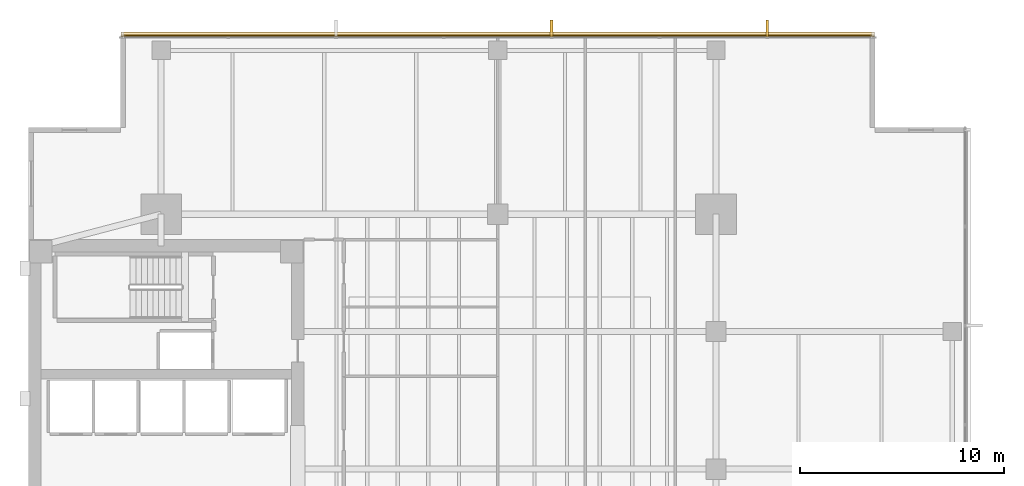
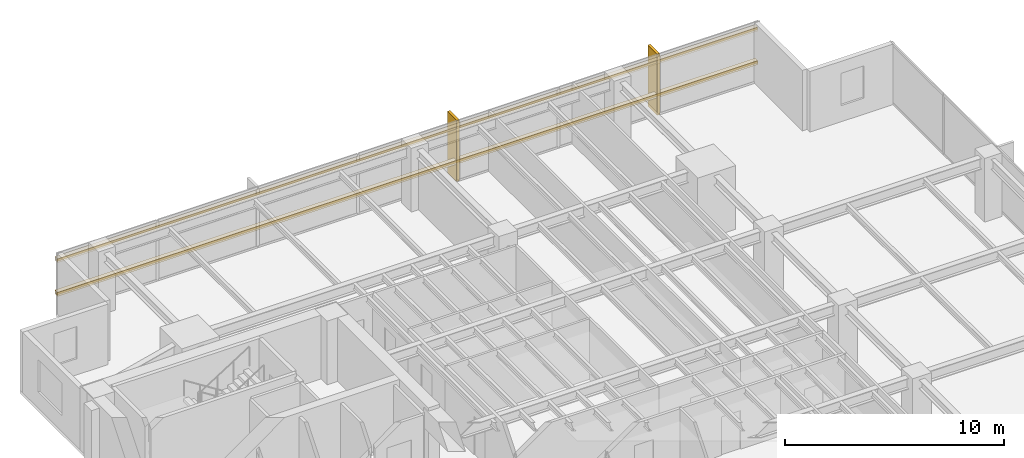
# One storey, part 14 of 14: 4 coverings, 2 shading devices.
"""IFC4 building model written with IfcOpenShell, lengths in metres."""

from ifc_helpers import new_model, si_unit, direction, frame, origin, origin_2d, place, context, subcontext, project, spatial, polyline, rectangle, outline, extrude, material, layer, layer_set, material_profile, profile_set, type_object, element, save


model = new_model("IFC4")

# Units and contexts
model_context = context("Model", 3, precision=1e-05, world=origin(), true_north=direction((0.0, 1.0)))
body_context = subcontext(model_context, "Body", "Model", "MODEL_VIEW")
ifc_project = project(units=[si_unit("LENGTHUNIT", "METRE"), si_unit("AREAUNIT", "SQUARE_METRE"), si_unit("VOLUMEUNIT", "CUBIC_METRE"), si_unit("PLANEANGLEUNIT", "RADIAN"), si_unit("MASSUNIT", "GRAM", prefix="KILO")], contexts=[model_context])

# Site, building, storey
site_placement = place(None, origin())
site = spatial("IfcSite", under=ifc_project, at=site_placement, CompositionType="ELEMENT")
building_placement = place(site_placement, origin())
building = spatial("IfcBuilding", under=site, at=building_placement, Name="Kinhvarn Gate Tower", CompositionType="ELEMENT")
storey_placement = place(building_placement, frame((0.0, 0.0, 130.64990234375)))
storey = spatial("IfcBuildingStorey", under=building, at=storey_placement, Name="L34", CompositionType="ELEMENT", Elevation=130.64990234375)

# Coverings
ifc_material = material(Name="Fired architectural terracotta", Category="masonry")
ifc_layer_1 = layer(ifc_material, 0.239990234375)
ifc_layer_set_1 = layer_set([ifc_layer_1], Name="Fired architectural terracotta")
covering_type_1 = type_object("IfcCoveringType", Name="COV-BAG-220", PredefinedType="CLADDING", material=ifc_layer_set_1)
for number, where, name in (
    (1, (0.0, 0.0, 0.940185546875), "Terracotta Horizontal Sunscreen Band TBG-220 (L34)"),
    (2, (0.0, 0.0, 2.81005859375), "Terracotta Horizontal Sunscreen Band TBG-220 (L34)"),
):
    element("IfcCovering", number, at=place(storey_placement, frame(where)), inside=storey, type_object=covering_type_1, Name=name, PredefinedType="CLADDING", context=body_context, shape_type="SweptSolid", body=[
        extrude(outline(polyline([(45.9599609375, 46.429931640625), (9.0400390625, 46.429931640625), (9.0400390625, 46.669921875), (45.9599609375, 46.669921875), (45.9599609375, 46.429931640625)])), origin(), (0.0, 0.0, 1.0), 0.219970703125),
    ])
ifc_layer_2 = layer(ifc_material, 0.139892578125)
ifc_layer_set_2 = layer_set([ifc_layer_2], Name="Fired architectural terracotta")
covering_type_2 = type_object("IfcCoveringType", Name="COV-FIN-850", PredefinedType="CLADDING", material=ifc_layer_set_2)
covering_1_placement = place(storey_placement, frame((0.0, 0.0, -0.02001953125)))
element("IfcCovering", 3, at=covering_1_placement, inside=storey, type_object=covering_type_2, Name="Vertical Terracotta Expressive Fin TFN-850 (L34)", PredefinedType="CLADDING", context=body_context, shape_type="SweptSolid", body=[
    extrude(outline(polyline([(40.7841796875, 46.419921875), (40.644287109375, 46.419921875), (40.644287109375, 47.27001953125), (40.7841796875, 47.27001953125), (40.7841796875, 46.419921875)])), origin(), (0.0, 0.0, 1.0), 3.41015625),
])
covering_2_placement = place(storey_placement, frame((0.0, 0.0, -0.02001953125)))
element("IfcCovering", 4, at=covering_2_placement, inside=storey, type_object=covering_type_2, Name="Vertical Terracotta Expressive Fin TFN-850 (L34)", PredefinedType="CLADDING", context=body_context, shape_type="SweptSolid", body=[
    extrude(outline(polyline([(30.212890625, 46.419921875), (30.072998046875, 46.419921875), (30.072998046875, 47.27001953125), (30.212890625, 47.27001953125), (30.212890625, 46.419921875)])), origin(), (0.0, 0.0, 1.0), 3.41015625),
])

# Shading devices
ifc_material_profile = material_profile(ifc_material, rectangle(XDim=0.050048828125, YDim=0.1201171875, at=origin_2d()), Name="TC 50x120")
ifc_profile_set = profile_set([ifc_material_profile], Name="Fired architectural terracotta")
shading_device_type = type_object("IfcShadingDeviceType", Name="SHD-BAG-140", PredefinedType="USERDEFINED", material=ifc_profile_set)
for number, where, z_axis, x_axis, name in (
    (5, (45.9599609375, 46.5, 1.050048828125), (-1.0, 0.0, 0.0), (0.0, -1.0, 0.0), "Upper Tower Terracotta Baguette Screen Rod 50x120 mm (L34)"),
    (6, (45.9599609375, 46.5, 2.920166015625), (-1.0, 0.0, 0.0), (0.0, -1.0, 0.0), "Upper Tower Terracotta Baguette Screen Rod 50x120 mm (L34)"),
):
    element("IfcShadingDevice", number, at=place(storey_placement, frame(where, z_axis=z_axis, x_axis=x_axis)), inside=storey, type_object=shading_device_type, Name=name, ObjectType="BAGUETTE", PredefinedType="USERDEFINED", context=body_context, shape_type="SweptSolid", body=[
        extrude(rectangle(XDim=0.050048828125, YDim=0.1201171875, at=origin_2d()), origin(), (0.0, 0.0, 1.0), 36.919921875),
    ])

save(model, "model.ifc")
